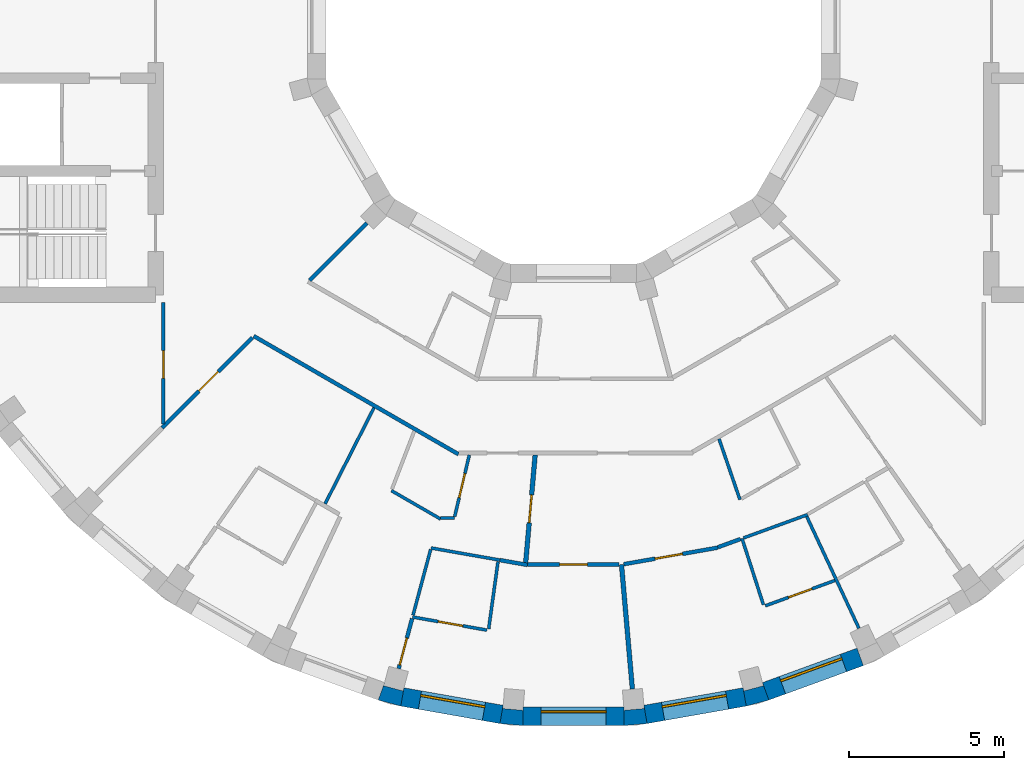
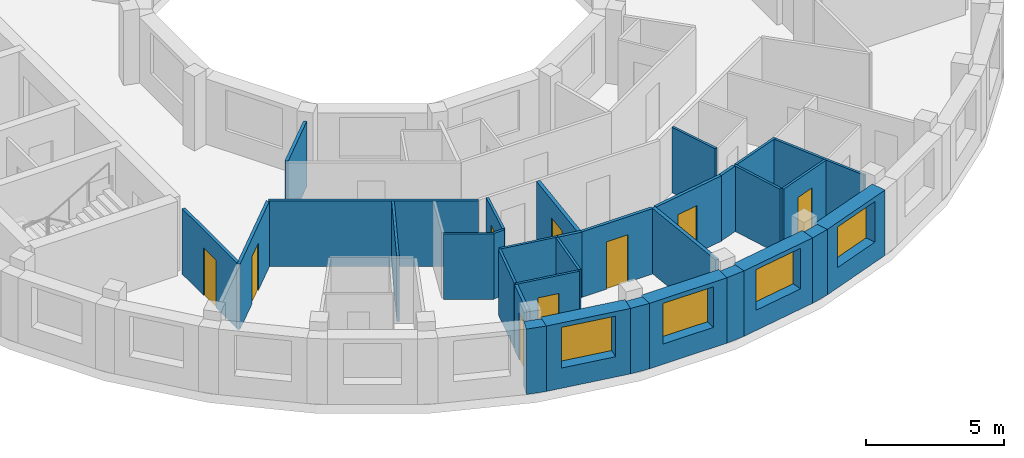
# One storey, part 4 of 12: 32 walls, 9 doors, 4 windows, 13 openings.
"""IFC4 building model written with IfcOpenShell, lengths in metres."""

from ifc_helpers import new_model, si_unit, direction, frame, frame_2d, origin, place, context, subcontext, project, spatial, polyline, rectangle, outline, extrude, material, layer, layer_set, type_object, element, fill, save


model = new_model("IFC4")

# Units and contexts
model_context = context("Model", 3, precision=1e-05, world=origin(), true_north=direction((0.0, 1.0)))
body_context = subcontext(model_context, "Body", "Model", "MODEL_VIEW")
ifc_project = project(units=[si_unit("LENGTHUNIT", "METRE"), si_unit("AREAUNIT", "SQUARE_METRE"), si_unit("VOLUMEUNIT", "CUBIC_METRE"), si_unit("PLANEANGLEUNIT", "RADIAN"), si_unit("MASSUNIT", "GRAM", prefix="KILO")], contexts=[model_context])

# Site, building, storey
site_placement = place(None, origin())
site = spatial("IfcSite", under=ifc_project, at=site_placement, CompositionType="ELEMENT")
building_placement = place(site_placement, origin())
building = spatial("IfcBuilding", under=site, at=building_placement, Name="Saqina Gate Tower", CompositionType="ELEMENT")
storey_placement = place(building_placement, frame((0.0, 0.0, 233.0)))
storey = spatial("IfcBuildingStorey", under=building, at=storey_placement, Name="L66", CompositionType="ELEMENT", Elevation=233.0)

# Walls
ifc_material_1 = material(Name="Brick masonry (buff)", Category="masonry")
wall_type_1 = type_object("IfcWallType", Name="BRICK PIER COPING BUFF", PredefinedType="SOLIDWALL", material=ifc_material_1)
wall_1_placement = place(storey_placement, origin())
element("IfcWall", 1, at=wall_1_placement, inside=storey, type_object=wall_type_1, Name="Pier cap L66 column 26", PredefinedType="SOLIDWALL", context=body_context, shape_type="SweptSolid", body=[
    extrude(outline(polyline([(-5.579833984375, -22.281982421875), (-5.4755859375, -21.691162109375), (-5.5029296875, -21.793212890625), (-6.130859375, -21.625), (-6.103515625, -21.52294921875), (-6.30859375, -22.0869140625), (-5.579833984375, -22.281982421875)])), origin(), (0.0, 0.0, 1.0), 2.89990234375),
])
wall_2_placement = place(storey_placement, origin())
element("IfcWall", 2, at=wall_2_placement, inside=storey, type_object=wall_type_1, Name="Pier cap L66 column 27", PredefinedType="SOLIDWALL", context=body_context, shape_type="SweptSolid", body=[
    extrude(outline(polyline([(-2.377685546875, -22.8466796875), (-1.625732421875, -22.91259765625), (-1.625732421875, -22.3125), (-1.635009765625, -22.417724609375), (-2.28271484375, -22.361083984375), (-2.2734375, -22.255859375), (-2.377685546875, -22.8466796875)])), origin(), (0.0, 0.0, 1.0), 2.89990234375),
])
wall_3_placement = place(storey_placement, origin())
element("IfcWall", 3, at=wall_3_placement, inside=storey, type_object=wall_type_1, Name="Pier cap L66 column 28", PredefinedType="SOLIDWALL", context=body_context, shape_type="SweptSolid", body=[
    extrude(outline(polyline([(1.625732421875, -22.91259765625), (2.377685546875, -22.8466796875), (2.2734375, -22.255859375), (2.28271484375, -22.361083984375), (1.635009765625, -22.417724609375), (1.625732421875, -22.3125), (1.625732421875, -22.91259765625)])), origin(), (0.0, 0.0, 1.0), 2.89990234375),
])
wall_4_placement = place(storey_placement, origin())
element("IfcWall", 4, at=wall_4_placement, inside=storey, type_object=wall_type_1, Name="Pier cap L66 column 29", PredefinedType="SOLIDWALL", context=body_context, shape_type="SweptSolid", body=[
    extrude(outline(polyline([(6.30859375, -22.0869140625), (6.103515625, -21.52294921875), (6.130859375, -21.625), (5.5029296875, -21.793212890625), (5.4755859375, -21.691162109375), (5.579833984375, -22.281982421875), (6.30859375, -22.0869140625)])), origin(), (0.0, 0.0, 1.0), 2.89990234375),
])

# Wall, opening, window
ifc_material_2 = material(Name="Brick masonry (buff)", Category="masonry")
ifc_layer_1 = layer(ifc_material_2, 0.60009765625)
ifc_layer_set_1 = layer_set([ifc_layer_1], Name="FW-BRICK-BUFF")
wall_type_2 = type_object("IfcWallType", Name="FW-BRICK-BUFF", PredefinedType="SOLIDWALL", material=ifc_layer_set_1)
wall_5_placement = place(storey_placement, frame((-5.52783203125, -21.986572265625, 0.0), z_axis=(0.0, 0.0, 1.0), x_axis=(0.984806225186, -0.173656842178, 0.0)))
wall_5 = element("IfcWall", 5, at=wall_5_placement, inside=storey, type_object=wall_type_2, Name="Facade wall L66 facet 26", PredefinedType="SOLIDWALL", context=body_context, shape_type="SweptSolid", body=[
    extrude(rectangle(XDim=3.251708984375, YDim=0.60009765625, at=frame_2d((1.6259765625, 0.0))), origin(), (0.0, 0.0, 1.0), 2.89990234375),
])
opening_1_placement = place(wall_5_placement, frame((0.57568359375, 0.0, 0.89990234375)))
opening_1 = element("IfcOpeningElement", 6, at=opening_1_placement, cuts=wall_5, Name="Opening G19-W15", PredefinedType="OPENING", context=body_context, shape_type="SweptSolid", body=[
    extrude(rectangle(XDim=2.10009765625, YDim=1.800048828125, at=frame_2d((1.050048828125, 0.89990234375))), frame((0.0, 0.31201171875, 0.0), z_axis=(0.0, -1.0, 0.0), x_axis=(1.0, 0.0, 0.0)), (0.0, 0.0, 1.0), 0.6240234375),
])
ifc_material_3 = material(Name="Aluminium glazing", Category="aluminium")
window_type = type_object("IfcWindowType", Name="WN-D", PartitioningType="SINGLE_PANEL", PredefinedType="WINDOW", material=ifc_material_3)
window_1_placement = place(opening_1_placement, origin())
window_1 = element("IfcWindow", 7, at=window_1_placement, inside=storey, type_object=window_type, Name="Window L66 facet 26", OverallHeight=1.800048828125, OverallWidth=2.10009765625, PartitioningType="SINGLE_PANEL", PredefinedType="WINDOW", context=body_context, shape_type="SweptSolid", body=[
    extrude(rectangle(XDim=2.10009765625, YDim=1.800048828125, at=frame_2d((1.050048828125, 0.89990234375))), frame((0.0, 0.179931640625, 0.0), z_axis=(0.0, -1.0, 0.0), x_axis=(1.0, 0.0, 0.0)), (0.0, 0.0, 1.0), 0.06005859375),
])
fill(opening_1, window_1)

wall_6_placement = place(storey_placement, frame((-1.625732421875, -22.612548828125, 0.0), z_axis=(0.0, 0.0, 1.0), x_axis=(1.0, 0.0, 0.0)))
wall_6 = element("IfcWall", 8, at=wall_6_placement, inside=storey, type_object=wall_type_2, Name="Facade wall L66 facet 27", PredefinedType="SOLIDWALL", context=body_context, shape_type="SweptSolid", body=[
    extrude(rectangle(XDim=3.25146484375, YDim=0.60009765625, at=frame_2d((1.625732421875, 0.0))), origin(), (0.0, 0.0, 1.0), 2.89990234375),
])
opening_2_placement = place(wall_6_placement, frame((0.57568359375, 0.0, 0.89990234375)))
opening_2 = element("IfcOpeningElement", 9, at=opening_2_placement, cuts=wall_6, Name="Opening G19-W16", PredefinedType="OPENING", context=body_context, shape_type="SweptSolid", body=[
    extrude(rectangle(XDim=2.10009765625, YDim=1.800048828125, at=frame_2d((1.050048828125, 0.89990234375))), frame((0.0, 0.31201171875, 0.0), z_axis=(0.0, -1.0, 0.0), x_axis=(1.0, 0.0, 0.0)), (0.0, 0.0, 1.0), 0.6240234375),
])
window_2_placement = place(opening_2_placement, origin())
window_2 = element("IfcWindow", 10, at=window_2_placement, inside=storey, type_object=window_type, Name="Window L66 facet 27", OverallHeight=1.800048828125, OverallWidth=2.10009765625, PartitioningType="SINGLE_PANEL", PredefinedType="WINDOW", context=body_context, shape_type="SweptSolid", body=[
    extrude(rectangle(XDim=2.10009765625, YDim=1.800048828125, at=frame_2d((1.050048828125, 0.89990234375))), frame((0.0, 0.179931640625, 0.0), z_axis=(0.0, -1.0, 0.0), x_axis=(1.0, 0.0, 0.0)), (0.0, 0.0, 1.0), 0.06005859375),
])
fill(opening_2, window_2)

wall_7_placement = place(storey_placement, frame((2.325439453125, -22.55126953125, 0.0), z_axis=(0.0, 0.0, 1.0), x_axis=(0.984806225186, 0.173656842178, 0.0)))
wall_7 = element("IfcWall", 11, at=wall_7_placement, inside=storey, type_object=wall_type_2, Name="Facade wall L66 facet 28", PredefinedType="SOLIDWALL", context=body_context, shape_type="SweptSolid", body=[
    extrude(rectangle(XDim=3.251708984375, YDim=0.60009765625, at=frame_2d((1.6259765625, 0.0))), origin(), (0.0, 0.0, 1.0), 2.89990234375),
])
opening_3_placement = place(wall_7_placement, frame((0.57568359375, 0.0, 0.89990234375)))
opening_3 = element("IfcOpeningElement", 12, at=opening_3_placement, cuts=wall_7, Name="Opening G19-W17", PredefinedType="OPENING", context=body_context, shape_type="SweptSolid", body=[
    extrude(rectangle(XDim=2.10009765625, YDim=1.800048828125, at=frame_2d((1.050048828125, 0.89990234375))), frame((0.0, 0.31201171875, 0.0), z_axis=(0.0, -1.0, 0.0), x_axis=(1.0, 0.0, 0.0)), (0.0, 0.0, 1.0), 0.6240234375),
])
window_3_placement = place(opening_3_placement, origin())
window_3 = element("IfcWindow", 13, at=window_3_placement, inside=storey, type_object=window_type, Name="Window L66 facet 28", OverallHeight=1.800048828125, OverallWidth=2.10009765625, PartitioningType="SINGLE_PANEL", PredefinedType="WINDOW", context=body_context, shape_type="SweptSolid", body=[
    extrude(rectangle(XDim=2.10009765625, YDim=1.800048828125, at=frame_2d((1.050048828125, 0.89990234375))), frame((0.0, 0.179931640625, 0.0), z_axis=(0.0, -1.0, 0.0), x_axis=(1.0, 0.0, 0.0)), (0.0, 0.0, 1.0), 0.06005859375),
])
fill(opening_3, window_3)

wall_8_placement = place(storey_placement, frame((6.2060546875, -21.804931640625, 0.0), z_axis=(0.0, 0.0, 1.0), x_axis=(0.939679383794, 0.342056509473, 0.0)))
wall_8 = element("IfcWall", 14, at=wall_8_placement, inside=storey, type_object=wall_type_2, Name="Facade wall L66 facet 29", PredefinedType="SOLIDWALL", context=body_context, shape_type="SweptSolid", body=[
    extrude(rectangle(XDim=3.251708984375, YDim=0.60009765625, at=frame_2d((1.6259765625, 0.0))), origin(), (0.0, 0.0, 1.0), 2.89990234375),
])
opening_4_placement = place(wall_8_placement, frame((0.57568359375, 0.0, 0.89990234375)))
opening_4 = element("IfcOpeningElement", 15, at=opening_4_placement, cuts=wall_8, Name="Opening G19-W18", PredefinedType="OPENING", context=body_context, shape_type="SweptSolid", body=[
    extrude(rectangle(XDim=2.10009765625, YDim=1.800048828125, at=frame_2d((1.050048828125, 0.89990234375))), frame((0.0, 0.31201171875, 0.0), z_axis=(0.0, -1.0, 0.0), x_axis=(1.0, 0.0, 0.0)), (0.0, 0.0, 1.0), 0.6240234375),
])
window_4_placement = place(opening_4_placement, origin())
window_4 = element("IfcWindow", 16, at=window_4_placement, inside=storey, type_object=window_type, Name="Window L66 facet 29", OverallHeight=1.800048828125, OverallWidth=2.10009765625, PartitioningType="SINGLE_PANEL", PredefinedType="WINDOW", context=body_context, shape_type="SweptSolid", body=[
    extrude(rectangle(XDim=2.10009765625, YDim=1.800048828125, at=frame_2d((1.050048828125, 0.89990234375))), frame((0.0, 0.179931640625, 0.0), z_axis=(0.0, -1.0, 0.0), x_axis=(1.0, 0.0, 0.0)), (0.0, 0.0, 1.0), 0.06005859375),
])
fill(opening_4, window_4)

# Walls
ifc_material_4 = material(Name="Gypsum board on steel studs, 100 mm", Category="steel")
ifc_layer_2 = layer(ifc_material_4, 0.10009765625)
ifc_layer_set_2 = layer_set([ifc_layer_2], Name="PARTITION 100")
wall_type_3 = type_object("IfcWallType", Name="PARTITION 100", PredefinedType="PARTITIONING", material=ifc_layer_set_2)
wall_9_placement = place(storey_placement, frame((5.443115234375, -16.867919921875, 0.0), z_axis=(0.0, 0.0, 1.0), x_axis=(0.307034478859, -0.951698391714, 0.0)))
element("IfcWall", 17, at=wall_9_placement, inside=storey, type_object=wall_type_3, Name="PARTITION PW3-03", PredefinedType="PARTITIONING", context=body_context, shape_type="SweptSolid", body=[
    extrude(rectangle(XDim=2.250244140625, YDim=0.10009765625, at=frame_2d((1.125, 0.0))), origin(), (0.0, 0.0, 1.0), 2.89990234375),
])
wall_10_placement = place(storey_placement, frame((4.700439453125, -13.650146484375, 0.0), z_axis=(0.0, 0.0, 1.0), x_axis=(0.325276885577, -0.945618817341, 0.0)))
element("IfcWall", 18, at=wall_10_placement, inside=storey, type_object=wall_type_3, Name="PARTITION PW3-04", PredefinedType="PARTITIONING", context=body_context, shape_type="SweptSolid", body=[
    extrude(rectangle(XDim=2.076904296875, YDim=0.10009765625, at=frame_2d((1.03857421875, 0.0))), origin(), (0.0, 0.0, 1.0), 2.89990234375),
])
wall_11_placement = place(storey_placement, frame((7.533935546875, -16.159912109375, 0.0), z_axis=(0.0, 0.0, 1.0), x_axis=(0.423136981181, -0.90606572342, 0.0)))
element("IfcWall", 19, at=wall_11_placement, inside=storey, type_object=wall_type_3, Name="PARTITION PW3-06", PredefinedType="PARTITIONING", context=body_context, shape_type="SweptSolid", body=[
    extrude(rectangle(XDim=3.985107421875, YDim=0.10009765625, at=frame_2d((1.99267578125, 0.0))), origin(), (0.0, 0.0, 1.0), 2.89990234375),
])
wall_12_placement = place(storey_placement, frame((-5.881103515625, -15.322509765625, 0.0), z_axis=(0.0, 0.0, 1.0), x_axis=(0.86600600509, -0.50003359802, 0.0)))
element("IfcWall", 20, at=wall_12_placement, inside=storey, type_object=wall_type_3, Name="PARTITION PW3-15", PredefinedType="PARTITIONING", context=body_context, shape_type="SweptSolid", body=[
    extrude(rectangle(XDim=1.833740234375, YDim=0.10009765625, at=frame_2d((0.9169921875, 0.0))), origin(), (0.0, 0.0, 1.0), 2.89990234375),
])

# Wall, opening, door
wall_13_placement = place(storey_placement, frame((-5.198974609375, -19.404052734375, 0.0), z_axis=(0.0, 0.0, 1.0), x_axis=(0.984768439557, -0.173870987956, 0.0)))
wall_13 = element("IfcWall", 21, at=wall_13_placement, inside=storey, type_object=wall_type_3, Name="PARTITION PW3-21", PredefinedType="PARTITIONING", context=body_context, shape_type="SweptSolid", body=[
    extrude(rectangle(XDim=2.43896484375, YDim=0.10009765625, at=frame_2d((1.219482421875, 0.0))), origin(), (0.0, 0.0, 1.0), 2.89990234375),
])
opening_5_placement = place(wall_13_placement, frame((0.843994140625, 0.0, 0.0)))
opening_5 = element("IfcOpeningElement", 22, at=opening_5_placement, cuts=wall_13, Name="Opening G19-D30", PredefinedType="OPENING", context=body_context, shape_type="SweptSolid", body=[
    extrude(rectangle(XDim=0.800048828125, YDim=2.10009765625, at=frame_2d((0.39990234375, 1.050048828125))), frame((0.0, 0.06201171875, 0.0), z_axis=(0.0, -1.0, 0.0), x_axis=(1.0, 0.0, 0.0)), (0.0, 0.0, 1.0), 0.1240234375),
])
ifc_material_5 = material(Name="Timber door leaf, 800 mm", Category="wood")
door_type_1 = type_object("IfcDoorType", Name="DOOR 800 TIMBER", OperationType="SINGLE_SWING_LEFT", PredefinedType="DOOR", material=ifc_material_5)
door_1_placement = place(opening_5_placement, frame((0.800048828125, 0.0, 0.0), z_axis=(0.0, 0.0, 1.0), x_axis=(-1.0, 0.0, 0.0)))
door_1 = element("IfcDoor", 23, at=door_1_placement, inside=storey, type_object=door_type_1, Name="DOOR G19-D30", OperationType="SINGLE_SWING_LEFT", OverallHeight=2.10009765625, OverallWidth=0.800048828125, PredefinedType="DOOR", context=body_context, shape_type="SweptSolid", body=[
    extrude(rectangle(XDim=0.800048828125, YDim=2.10009765625, at=frame_2d((0.39990234375, 1.050048828125))), frame((0.0, 0.02490234375, 0.0), z_axis=(0.0, -1.0, 0.0), x_axis=(1.0, 0.0, 0.0)), (0.0, 0.0, 1.0), 0.050048828125),
])
fill(opening_5, door_1)

# Walls
wall_14_placement = place(storey_placement, frame((-4.60107421875, -17.174072265625, 0.0), z_axis=(0.0, 0.0, 1.0), x_axis=(0.984785740028, -0.173772973268, 0.0)))
element("IfcWall", 24, at=wall_14_placement, inside=storey, type_object=wall_type_3, Name="PARTITION PW3-22", PredefinedType="PARTITIONING", context=body_context, shape_type="SweptSolid", body=[
    extrude(rectangle(XDim=2.25341796875, YDim=0.10009765625, at=frame_2d((1.126708984375, 0.0))), origin(), (0.0, 0.0, 1.0), 2.89990234375),
])
wall_15_placement = place(storey_placement, frame((-4.29296875, -16.2099609375, 0.0), z_axis=(0.0, 0.0, 1.0), x_axis=(1.0, 0.0, 0.0)))
element("IfcWall", 25, at=wall_15_placement, inside=storey, type_object=wall_type_3, Name="PARTITION PW3-25", PredefinedType="PARTITIONING", context=body_context, shape_type="SweptSolid", body=[
    extrude(rectangle(XDim=0.44091796875, YDim=0.10009765625, at=frame_2d((0.220458984375, 0.0))), origin(), (0.0, 0.0, 1.0), 2.89990234375),
])

# Wall, opening, door
wall_16_placement = place(storey_placement, frame((6.197021484375, -19.0419921875, 0.0), z_axis=(0.0, 0.0, 1.0), x_axis=(0.939644231496, 0.342153062556, 0.0)))
wall_16 = element("IfcWall", 26, at=wall_16_placement, inside=storey, type_object=wall_type_3, Name="PARTITION PW3-31", PredefinedType="PARTITIONING", context=body_context, shape_type="SweptSolid", body=[
    extrude(rectangle(XDim=2.390380859375, YDim=0.10009765625, at=frame_2d((1.1953125, 0.0))), origin(), (0.0, 0.0, 1.0), 2.89990234375),
])
opening_6_placement = place(wall_16_placement, frame((0.7958984375, 0.0, 0.0)))
opening_6 = element("IfcOpeningElement", 27, at=opening_6_placement, cuts=wall_16, Name="Opening G19-D38", PredefinedType="OPENING", context=body_context, shape_type="SweptSolid", body=[
    extrude(rectangle(XDim=0.800048828125, YDim=2.10009765625, at=frame_2d((0.39990234375, 1.050048828125))), frame((0.0, 0.06201171875, 0.0), z_axis=(0.0, -1.0, 0.0), x_axis=(1.0, 0.0, 0.0)), (0.0, 0.0, 1.0), 0.1240234375),
])
door_2_placement = place(opening_6_placement, frame((0.800048828125, 0.0, 0.0), z_axis=(0.0, 0.0, 1.0), x_axis=(-1.0, 0.0, 0.0)))
door_2 = element("IfcDoor", 28, at=door_2_placement, inside=storey, type_object=door_type_1, Name="DOOR G19-D38", OperationType="SINGLE_SWING_LEFT", OverallHeight=2.10009765625, OverallWidth=0.800048828125, PredefinedType="DOOR", context=body_context, shape_type="SweptSolid", body=[
    extrude(rectangle(XDim=0.800048828125, YDim=2.10009765625, at=frame_2d((0.39990234375, 1.050048828125))), frame((0.0, 0.02490234375, 0.0), z_axis=(0.0, -1.0, 0.0), x_axis=(1.0, 0.0, 0.0)), (0.0, 0.0, 1.0), 0.050048828125),
])
fill(opening_6, door_2)

# Walls
wall_17_placement = place(storey_placement, frame((5.489990234375, -16.850830078125, 0.0), z_axis=(0.0, 0.0, 1.0), x_axis=(0.939680214162, 0.342054228323, 0.0)))
element("IfcWall", 29, at=wall_17_placement, inside=storey, type_object=wall_type_3, Name="PARTITION PW3-32", PredefinedType="PARTITIONING", context=body_context, shape_type="SweptSolid", body=[
    extrude(rectangle(XDim=2.204833984375, YDim=0.10009765625, at=frame_2d((1.1025390625, 0.0))), origin(), (0.0, 0.0, 1.0), 2.89990234375),
])
wall_18_placement = place(storey_placement, frame((-8.023681640625, -15.747314453125, 0.0), z_axis=(0.0, 0.0, 1.0), x_axis=(0.453766079843, 0.891120836242, 0.0)))
element("IfcWall", 30, at=wall_18_placement, inside=storey, type_object=wall_type_3, Name="PARTITION PW3-43", PredefinedType="PARTITIONING", context=body_context, shape_type="SweptSolid", body=[
    extrude(rectangle(XDim=3.48095703125, YDim=0.10009765625, at=frame_2d((1.740478515625, 0.0))), origin(), (0.0, 0.0, 1.0), 2.89990234375),
])
wall_19_placement = place(storey_placement, frame((-5.18310546875, -19.343505859375, 0.0), z_axis=(0.0, 0.0, 1.0), x_axis=(0.258825000964, 0.965924230401, 0.0)))
element("IfcWall", 31, at=wall_19_placement, inside=storey, type_object=wall_type_3, Name="PARTITION PW3-48", PredefinedType="PARTITIONING", context=body_context, shape_type="SweptSolid", body=[
    extrude(rectangle(XDim=2.19580078125, YDim=0.10009765625, at=frame_2d((1.097900390625, 0.0))), origin(), (0.0, 0.0, 1.0), 2.89990234375),
])

# Wall, opening, door
wall_20_placement = place(storey_placement, frame((-3.8388671875, -16.1611328125, 0.0), z_axis=(0.0, 0.0, 1.0), x_axis=(0.231512969314, 0.972831817448, 0.0)))
wall_20 = element("IfcWall", 32, at=wall_20_placement, inside=storey, type_object=wall_type_3, Name="PARTITION PW3-50", PredefinedType="PARTITIONING", context=body_context, shape_type="SweptSolid", body=[
    extrude(rectangle(XDim=2.0458984375, YDim=0.10009765625, at=frame_2d((1.02294921875, 0.0))), origin(), (0.0, 0.0, 1.0), 2.89990234375),
])
opening_7_placement = place(wall_20_placement, frame((0.629638671875, 0.0, 0.0)))
opening_7 = element("IfcOpeningElement", 33, at=opening_7_placement, cuts=wall_20, Name="Opening G19-D29", PredefinedType="OPENING", context=body_context, shape_type="SweptSolid", body=[
    extrude(rectangle(XDim=0.800048828125, YDim=2.10009765625, at=frame_2d((0.39990234375, 1.050048828125))), frame((0.0, 0.06201171875, 0.0), z_axis=(0.0, -1.0, 0.0), x_axis=(1.0, 0.0, 0.0)), (0.0, 0.0, 1.0), 0.1240234375),
])
door_3_placement = place(opening_7_placement, frame((0.800048828125, 0.0, 0.0), z_axis=(0.0, 0.0, 1.0), x_axis=(-1.0, 0.0, 0.0)))
door_3 = element("IfcDoor", 34, at=door_3_placement, inside=storey, type_object=door_type_1, Name="DOOR G19-D29", OperationType="SINGLE_SWING_LEFT", OverallHeight=2.10009765625, OverallWidth=0.800048828125, PredefinedType="DOOR", context=body_context, shape_type="SweptSolid", body=[
    extrude(rectangle(XDim=0.800048828125, YDim=2.10009765625, at=frame_2d((0.39990234375, 1.050048828125))), frame((0.0, 0.02490234375, 0.0), z_axis=(0.0, -1.0, 0.0), x_axis=(1.0, 0.0, 0.0)), (0.0, 0.0, 1.0), 0.050048828125),
])
fill(opening_7, door_3)

# Walls
wall_21_placement = place(storey_placement, frame((-2.740478515625, -19.787353515625, 0.0), z_axis=(0.0, 0.0, 1.0), x_axis=(0.137501510902, 0.990501557041, 0.0)))
element("IfcWall", 35, at=wall_21_placement, inside=storey, type_object=wall_type_3, Name="PARTITION PW3-52", PredefinedType="PARTITIONING", context=body_context, shape_type="SweptSolid", body=[
    extrude(rectangle(XDim=2.189208984375, YDim=0.10009765625, at=frame_2d((1.0947265625, 0.0))), origin(), (0.0, 0.0, 1.0), 2.89990234375),
])
ifc_material_6 = material(Name="Gypsum board on steel studs, 125 mm, fire rated", Category="steel")
ifc_layer_3 = layer(ifc_material_6, 0.125)
ifc_layer_set_3 = layer_set([ifc_layer_3], Name="PARTITION EI 30 125")
wall_type_4 = type_object("IfcWallType", Name="PARTITION EI 30 125", PredefinedType="PARTITIONING", material=ifc_layer_set_3)
wall_22_placement = place(storey_placement, frame((-10.3291015625, -10.3291015625, 0.0), z_axis=(0.0, 0.0, 1.0), x_axis=(0.866010352672, -0.500026068385, 0.0)))
element("IfcWall", 36, at=wall_22_placement, inside=storey, type_object=wall_type_4, Name="PARTITION PW1-09", PredefinedType="PARTITIONING", context=body_context, shape_type="SweptSolid", body=[
    extrude(rectangle(XDim=7.63330078125, YDim=0.125, at=frame_2d((3.816650390625, 0.0))), origin(), (0.0, 0.0, 1.0), 2.89990234375),
])
wall_23_placement = place(storey_placement, frame((-2.3818359375, -17.565673828125, 0.0), z_axis=(0.0, 0.0, 1.0), x_axis=(0.984894337211, -0.17315641637, 0.0)))
element("IfcWall", 37, at=wall_23_placement, inside=storey, type_object=wall_type_4, Name="PARTITION PW1-15", PredefinedType="PARTITIONING", context=body_context, shape_type="SweptSolid", body=[
    extrude(rectangle(XDim=0.907958984375, YDim=0.125, at=frame_2d((0.4541015625, 0.0))), origin(), (0.0, 0.0, 1.0), 2.89990234375),
])

# Wall, opening, door
wall_24_placement = place(storey_placement, frame((-1.487548828125, -17.7119140625, 0.0), z_axis=(0.0, 0.0, 1.0), x_axis=(1.0, 0.0, 0.0)))
wall_24 = element("IfcWall", 38, at=wall_24_placement, inside=storey, type_object=wall_type_4, Name="PARTITION PW1-16", PredefinedType="PARTITIONING", context=body_context, shape_type="SweptSolid", body=[
    extrude(rectangle(XDim=2.961669921875, YDim=0.125, at=frame_2d((1.48095703125, 0.0))), origin(), (0.0, 0.0, 1.0), 2.89990234375),
])
opening_8_placement = place(wall_24_placement, frame((1.037109375, 0.0, 0.0)))
opening_8 = element("IfcOpeningElement", 39, at=opening_8_placement, cuts=wall_24, Name="Opening G19-D34", PredefinedType="OPENING", context=body_context, shape_type="SweptSolid", body=[
    extrude(rectangle(XDim=0.89990234375, YDim=2.10009765625, at=frame_2d((0.449951171875, 1.050048828125))), frame((0.0, 0.074462890625, 0.0), z_axis=(0.0, -1.0, 0.0), x_axis=(1.0, 0.0, 0.0)), (0.0, 0.0, 1.0), 0.14892578125),
])
ifc_material_7 = material(Name="Fire door leaf EI 30, 900 mm")
door_type_2 = type_object("IfcDoorType", Name="DOOR 900 EI 30", OperationType="SINGLE_SWING_LEFT", PredefinedType="DOOR", material=ifc_material_7)
door_4_placement = place(opening_8_placement, origin())
door_4 = element("IfcDoor", 40, at=door_4_placement, inside=storey, type_object=door_type_2, Name="DOOR G19-D34", OperationType="SINGLE_SWING_RIGHT", OverallHeight=2.10009765625, OverallWidth=0.89990234375, PredefinedType="DOOR", context=body_context, shape_type="SweptSolid", body=[
    extrude(rectangle(XDim=0.89990234375, YDim=2.10009765625, at=frame_2d((0.449951171875, 1.050048828125))), frame((0.0, 0.02490234375, 0.0), z_axis=(0.0, -1.0, 0.0), x_axis=(1.0, 0.0, 0.0)), (0.0, 0.0, 1.0), 0.050048828125),
])
fill(opening_8, door_4)

wall_25_placement = place(storey_placement, frame((1.623779296875, -17.69873046875, 0.0), z_axis=(0.0, 0.0, 1.0), x_axis=(0.98485035276, 0.17340640896, 0.0)))
wall_25 = element("IfcWall", 41, at=wall_25_placement, inside=storey, type_object=wall_type_4, Name="PARTITION PW1-21", PredefinedType="PARTITIONING", context=body_context, shape_type="SweptSolid", body=[
    extrude(rectangle(XDim=3.087646484375, YDim=0.125, at=frame_2d((1.5439453125, 0.0))), origin(), (0.0, 0.0, 1.0), 2.89990234375),
])
opening_9_placement = place(wall_25_placement, frame((1.0244140625, 0.0, 0.0)))
opening_9 = element("IfcOpeningElement", 42, at=opening_9_placement, cuts=wall_25, Name="Opening G19-D37", PredefinedType="OPENING", context=body_context, shape_type="SweptSolid", body=[
    extrude(rectangle(XDim=0.89990234375, YDim=2.10009765625, at=frame_2d((0.449951171875, 1.050048828125))), frame((0.0, 0.074462890625, 0.0), z_axis=(0.0, -1.0, 0.0), x_axis=(1.0, 0.0, 0.0)), (0.0, 0.0, 1.0), 0.14892578125),
])
door_5_placement = place(opening_9_placement, origin())
door_5 = element("IfcDoor", 43, at=door_5_placement, inside=storey, type_object=door_type_2, Name="DOOR G19-D37", OperationType="SINGLE_SWING_LEFT", OverallHeight=2.10009765625, OverallWidth=0.89990234375, PredefinedType="DOOR", context=body_context, shape_type="SweptSolid", body=[
    extrude(rectangle(XDim=0.89990234375, YDim=2.10009765625, at=frame_2d((0.449951171875, 1.050048828125))), frame((0.0, 0.02490234375, 0.0), z_axis=(0.0, -1.0, 0.0), x_axis=(1.0, 0.0, 0.0)), (0.0, 0.0, 1.0), 0.050048828125),
])
fill(opening_9, door_5)

# Wall
wall_26_placement = place(storey_placement, frame((4.66064453125, -17.152587890625, 0.0), z_axis=(0.0, 0.0, 1.0), x_axis=(0.93962024549, 0.342218927391, 0.0)))
element("IfcWall", 44, at=wall_26_placement, inside=storey, type_object=wall_type_4, Name="PARTITION PW1-23", PredefinedType="PARTITIONING", context=body_context, shape_type="SweptSolid", body=[
    extrude(rectangle(XDim=0.78271484375, YDim=0.125, at=frame_2d((0.391357421875, 0.0))), origin(), (0.0, 0.0, 1.0), 2.89990234375),
])

# Wall, opening, door
wall_27_placement = place(storey_placement, frame((-13.294189453125, -13.294189453125, 0.0), z_axis=(0.0, 0.0, 1.0), x_axis=(0.707106781187, 0.707106781187, 0.0)))
wall_27 = element("IfcWall", 45, at=wall_27_placement, inside=storey, type_object=wall_type_4, Name="PARTITION PW1-29", PredefinedType="PARTITIONING", context=body_context, shape_type="SweptSolid", body=[
    extrude(rectangle(XDim=4.130859375, YDim=0.125, at=frame_2d((2.0654296875, 0.0))), origin(), (0.0, 0.0, 1.0), 2.89990234375),
])
opening_10_placement = place(wall_27_placement, frame((1.677978515625, 0.0, 0.0)))
opening_10 = element("IfcOpeningElement", 46, at=opening_10_placement, cuts=wall_27, Name="Opening G19-D23", PredefinedType="OPENING", context=body_context, shape_type="SweptSolid", body=[
    extrude(rectangle(XDim=0.89990234375, YDim=2.10009765625, at=frame_2d((0.449951171875, 1.050048828125))), frame((0.0, 0.074462890625, 0.0), z_axis=(0.0, -1.0, 0.0), x_axis=(1.0, 0.0, 0.0)), (0.0, 0.0, 1.0), 0.14892578125),
])
door_6_placement = place(opening_10_placement, frame((0.89990234375, 0.0, 0.0), z_axis=(0.0, 0.0, 1.0), x_axis=(-1.0, 0.0, 0.0)))
door_6 = element("IfcDoor", 47, at=door_6_placement, inside=storey, type_object=door_type_2, Name="DOOR G19-D23", OperationType="SINGLE_SWING_LEFT", OverallHeight=2.10009765625, OverallWidth=0.89990234375, PredefinedType="DOOR", context=body_context, shape_type="SweptSolid", body=[
    extrude(rectangle(XDim=0.89990234375, YDim=2.10009765625, at=frame_2d((0.449951171875, 1.050048828125))), frame((0.0, 0.02490234375, 0.0), z_axis=(0.0, -1.0, 0.0), x_axis=(1.0, 0.0, 0.0)), (0.0, 0.0, 1.0), 0.050048828125),
])
fill(opening_10, door_6)

# Wall
wall_28_placement = place(storey_placement, frame((-8.52783203125, -8.52783203125, 0.0), z_axis=(0.0, 0.0, 1.0), x_axis=(0.707106781187, 0.707106781187, 0.0)))
element("IfcWall", 48, at=wall_28_placement, inside=storey, type_object=wall_type_4, Name="PARTITION PW1-30", PredefinedType="PARTITIONING", context=body_context, shape_type="SweptSolid", body=[
    extrude(rectangle(XDim=2.617919921875, YDim=0.125, at=frame_2d((1.30908203125, 0.0))), origin(), (0.0, 0.0, 1.0), 2.89990234375),
])

# Wall, opening, door
wall_29_placement = place(storey_placement, frame((-5.646484375, -21.071533203125, 0.0), z_axis=(0.0, 0.0, 1.0), x_axis=(0.258469191294, 0.966019501434, 0.0)))
wall_29 = element("IfcWall", 49, at=wall_29_placement, inside=storey, type_object=wall_type_4, Name="PARTITION PW1-37", PredefinedType="PARTITIONING", context=body_context, shape_type="SweptSolid", body=[
    extrude(rectangle(XDim=1.676513671875, YDim=0.125, at=frame_2d((0.83837890625, 0.0))), origin(), (0.0, 0.0, 1.0), 2.89990234375),
])
opening_11_placement = place(wall_29_placement, frame((0.122314453125, 0.0, 0.0)))
opening_11 = element("IfcOpeningElement", 50, at=opening_11_placement, cuts=wall_29, Name="Opening G19-D28", PredefinedType="OPENING", context=body_context, shape_type="SweptSolid", body=[
    extrude(rectangle(XDim=0.89990234375, YDim=2.10009765625, at=frame_2d((0.449951171875, 1.050048828125))), frame((0.0, 0.074462890625, 0.0), z_axis=(0.0, -1.0, 0.0), x_axis=(1.0, 0.0, 0.0)), (0.0, 0.0, 1.0), 0.14892578125),
])
door_7_placement = place(opening_11_placement, origin())
door_7 = element("IfcDoor", 51, at=door_7_placement, inside=storey, type_object=door_type_2, Name="DOOR G19-D28", OperationType="SINGLE_SWING_LEFT", OverallHeight=2.10009765625, OverallWidth=0.89990234375, PredefinedType="DOOR", context=body_context, shape_type="SweptSolid", body=[
    extrude(rectangle(XDim=0.89990234375, YDim=2.10009765625, at=frame_2d((0.449951171875, 1.050048828125))), frame((0.0, 0.02490234375, 0.0), z_axis=(0.0, -1.0, 0.0), x_axis=(1.0, 0.0, 0.0)), (0.0, 0.0, 1.0), 0.050048828125),
])
fill(opening_11, door_7)

wall_30_placement = place(storey_placement, frame((-13.25, -13.175048828125, 0.0), z_axis=(0.0, 0.0, 1.0), x_axis=(0.0, 1.0, 0.0)))
wall_30 = element("IfcWall", 52, at=wall_30_placement, inside=storey, type_object=wall_type_4, Name="PARTITION PW1-42", PredefinedType="PARTITIONING", context=body_context, shape_type="SweptSolid", body=[
    extrude(rectangle(XDim=3.925048828125, YDim=0.125, at=frame_2d((1.96240234375, 0.0))), origin(), (0.0, 0.0, 1.0), 2.89990234375),
])
opening_12_placement = place(wall_30_placement, frame((1.47509765625, 0.0, 0.0)))
opening_12 = element("IfcOpeningElement", 53, at=opening_12_placement, cuts=wall_30, Name="Opening G19-D22", PredefinedType="OPENING", context=body_context, shape_type="SweptSolid", body=[
    extrude(rectangle(XDim=0.89990234375, YDim=2.10009765625, at=frame_2d((0.449951171875, 1.050048828125))), frame((0.0, 0.074462890625, 0.0), z_axis=(0.0, -1.0, 0.0), x_axis=(1.0, 0.0, 0.0)), (0.0, 0.0, 1.0), 0.14892578125),
])
door_8_placement = place(opening_12_placement, origin())
door_8 = element("IfcDoor", 54, at=door_8_placement, inside=storey, type_object=door_type_2, Name="DOOR G19-D22", OperationType="SINGLE_SWING_LEFT", OverallHeight=2.10009765625, OverallWidth=0.89990234375, PredefinedType="DOOR", context=body_context, shape_type="SweptSolid", body=[
    extrude(rectangle(XDim=0.89990234375, YDim=2.10009765625, at=frame_2d((0.449951171875, 1.050048828125))), frame((0.0, 0.02490234375, 0.0), z_axis=(0.0, -1.0, 0.0), x_axis=(1.0, 0.0, 0.0)), (0.0, 0.0, 1.0), 0.050048828125),
])
fill(opening_12, door_8)

# Wall
ifc_material_8 = material(Name="Gypsum board on steel studs, 150 mm, fire rated", Category="steel")
ifc_layer_4 = layer(ifc_material_8, 0.14990234375)
ifc_layer_set_4 = layer_set([ifc_layer_4], Name="PARTITION EI 60 150")
wall_type_5 = type_object("IfcWallType", Name="PARTITION EI 60 150", PredefinedType="PARTITIONING", material=ifc_layer_set_4)
wall_31_placement = place(storey_placement, frame((1.5498046875, -17.7119140625, 0.0), z_axis=(0.0, 0.0, 1.0), x_axis=(0.087120418717, -0.996197787913, 0.0)))
element("IfcWall", 55, at=wall_31_placement, inside=storey, type_object=wall_type_5, Name="PARTITION PW2-01", PredefinedType="PARTITIONING", context=body_context, shape_type="SweptSolid", body=[
    extrude(rectangle(XDim=4.035400390625, YDim=0.14990234375, at=frame_2d((2.017578125, 0.0))), origin(), (0.0, 0.0, 1.0), 2.89990234375),
])

# Wall, opening, door
wall_32_placement = place(storey_placement, frame((-1.544921875, -17.649658203125, 0.0), z_axis=(0.0, 0.0, 1.0), x_axis=(0.087495771856, 0.996164890923, 0.0)))
wall_32 = element("IfcWall", 56, at=wall_32_placement, inside=storey, type_object=wall_type_5, Name="PARTITION PW2-11", PredefinedType="PARTITIONING", context=body_context, shape_type="SweptSolid", body=[
    extrude(rectangle(XDim=3.49072265625, YDim=0.14990234375, at=frame_2d((1.745361328125, 0.0))), origin(), (0.0, 0.0, 1.0), 2.89990234375),
])
opening_13_placement = place(wall_32_placement, frame((1.2958984375, 0.0, 0.0)))
opening_13 = element("IfcOpeningElement", 57, at=opening_13_placement, cuts=wall_32, Name="Opening G19-D33", PredefinedType="OPENING", context=body_context, shape_type="SweptSolid", body=[
    extrude(rectangle(XDim=0.89990234375, YDim=2.10009765625, at=frame_2d((0.449951171875, 1.050048828125))), frame((0.0, 0.0869140625, 0.0), z_axis=(0.0, -1.0, 0.0), x_axis=(1.0, 0.0, 0.0)), (0.0, 0.0, 1.0), 0.173828125),
])
door_9_placement = place(opening_13_placement, frame((0.89990234375, 0.0, 0.0), z_axis=(0.0, 0.0, 1.0), x_axis=(-1.0, 0.0, 0.0)))
door_9 = element("IfcDoor", 58, at=door_9_placement, inside=storey, type_object=door_type_2, Name="DOOR G19-D33", OperationType="SINGLE_SWING_LEFT", OverallHeight=2.10009765625, OverallWidth=0.89990234375, PredefinedType="DOOR", context=body_context, shape_type="SweptSolid", body=[
    extrude(rectangle(XDim=0.89990234375, YDim=2.10009765625, at=frame_2d((0.449951171875, 1.050048828125))), frame((0.0, 0.02490234375, 0.0), z_axis=(0.0, -1.0, 0.0), x_axis=(1.0, 0.0, 0.0)), (0.0, 0.0, 1.0), 0.050048828125),
])
fill(opening_13, door_9)

save(model, "model.ifc")
